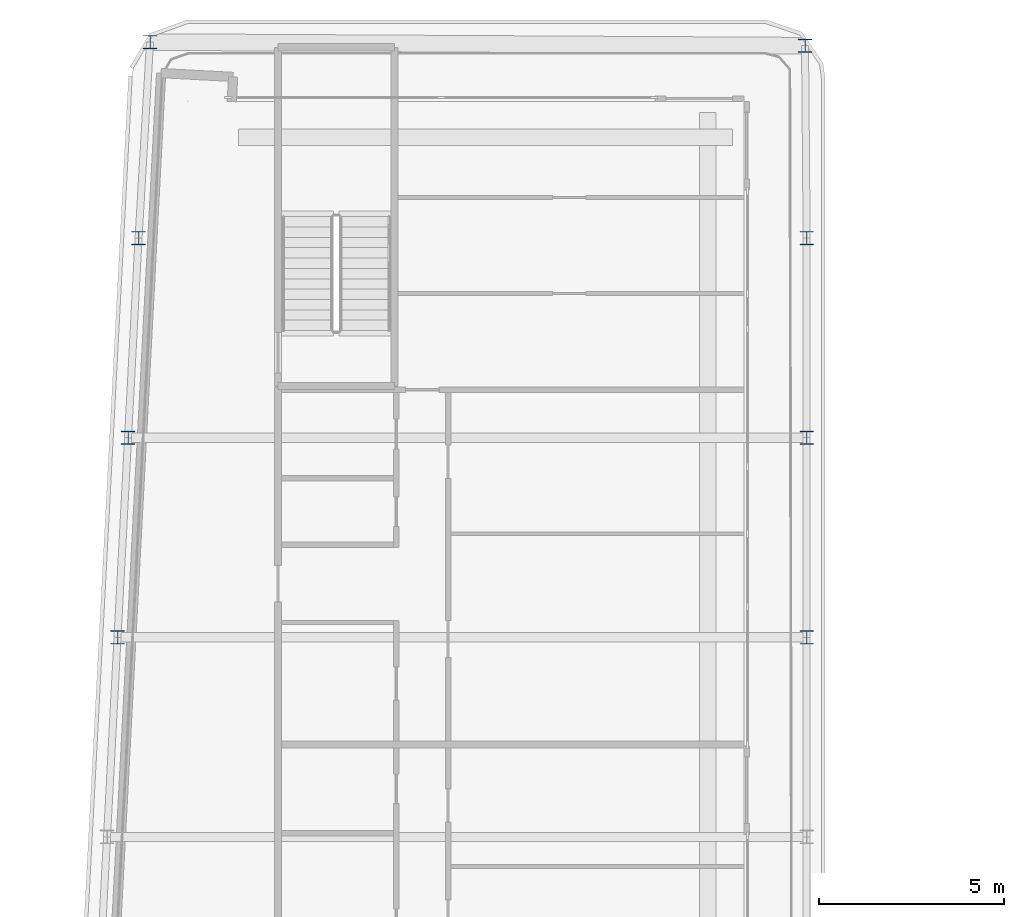
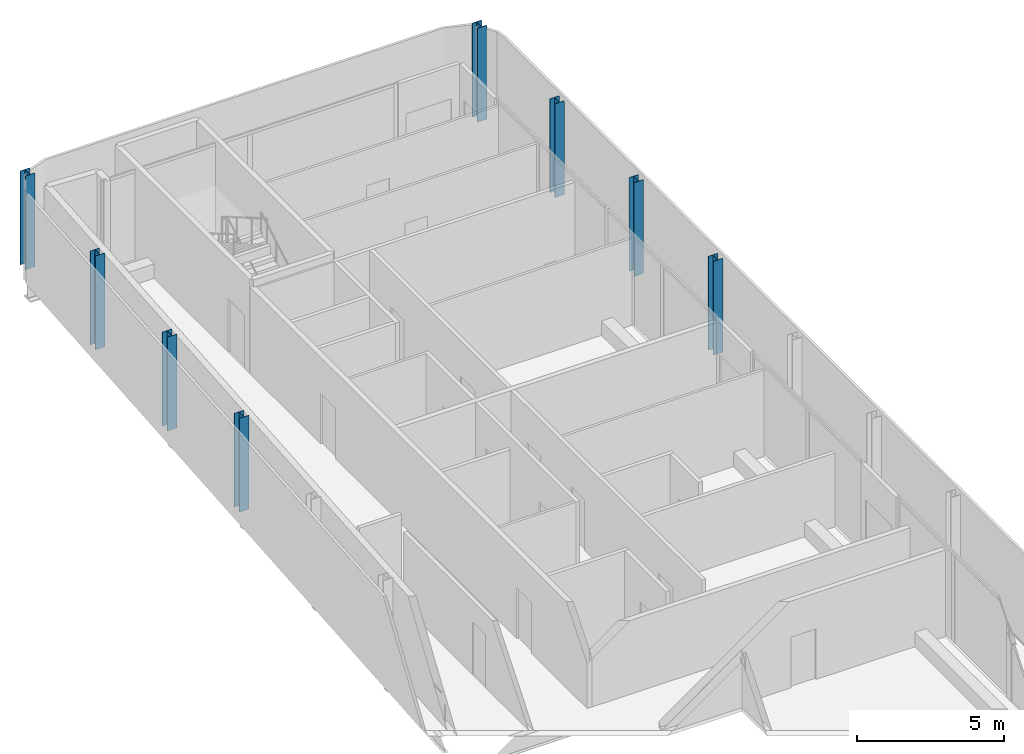
# One storey, part 3 of 17: 8 columns.
"""IFC4 building model written with IfcOpenShell, lengths in metres."""

from ifc_helpers import new_model, si_unit, direction, frame, origin, origin_2d, place, context, subcontext, project, spatial, i_section, extrude, material, material_profile, profile_set, type_object, element, save


model = new_model("IFC4")

# Units and contexts
model_context = context("Model", 3, precision=1e-05, world=origin(), true_north=direction((0.0, 1.0)))
body_context = subcontext(model_context, "Body", "Model", "MODEL_VIEW")
ifc_project = project(units=[si_unit("LENGTHUNIT", "METRE"), si_unit("AREAUNIT", "SQUARE_METRE"), si_unit("VOLUMEUNIT", "CUBIC_METRE"), si_unit("PLANEANGLEUNIT", "RADIAN"), si_unit("MASSUNIT", "GRAM", prefix="KILO")], contexts=[model_context])

# Site, building, storey
site_placement = place(None, origin())
site = spatial("IfcSite", under=ifc_project, at=site_placement, CompositionType="ELEMENT")
building_placement = place(site_placement, origin())
building = spatial("IfcBuilding", under=site, at=building_placement, Name="Kheshtan School and Residences Tower", CompositionType="ELEMENT")
storey_placement = place(building_placement, frame((0.0, 0.0, 342.199951171875)))
storey = spatial("IfcBuildingStorey", under=building, at=storey_placement, Name="L80", CompositionType="ELEMENT", Elevation=342.199951171875)

# Columns
ifc_material = material(Name="Steel ASTM A992 Grade 50", Category="steel")
ifc_material_profile = material_profile(ifc_material, i_section(OverallWidth=0.37109375, OverallDepth=0.364013671875, WebThickness=0.01318359375, FlangeThickness=0.021728515625, FilletRadius=0.010986328125, at=origin_2d()), Name="W360x162")
ifc_profile_set = profile_set([ifc_material_profile], Name="Steel ASTM A992 Grade 50")
column_type = type_object("IfcColumnType", Name="Column C6 W360x162 ASTM A992 Grade 50", PredefinedType="COLUMN", material=ifc_profile_set)
for number, where, z_axis, x_axis, name in (
    (1, (28.9580078125, 72.60009765625, 0.0), (0.0, 0.0, 1.0), (1.0, 0.0, 0.0), "Column C086"),
    (2, (47.60009765625, 72.60009765625, 0.0), (0.0, 0.0, 1.0), (1.0, 0.0, 0.0), "Column C087"),
    (3, (29.242919921875, 78.0, 0.0), (0.0, 0.0, 1.0), (1.0, 0.0, 0.0), "Column C088"),
    (4, (47.60009765625, 78.0, 0.0), (0.0, 0.0, 1.0), (1.0, 0.0, 0.0), "Column C089"),
    (5, (29.527099609375, 83.39990234375, 0.0), (0.0, 0.0, 1.0), (1.0, 0.0, 0.0), "Column C090"),
    (6, (47.60009765625, 83.39990234375, 0.0), (0.0, 0.0, 1.0), (1.0, 0.0, 0.0), "Column C091"),
    (7, (47.555908203125, 88.60498046875, 0.0), (0.0, 0.0, 1.0), (1.0, 0.0, 0.0), "Column C094"),
    (8, (29.8369140625, 88.7041015625, 0.0), (0.0, 0.0, 1.0), (1.0, 0.0, 0.0), "Column C095"),
):
    element("IfcColumn", number, at=place(storey_placement, frame(where, z_axis=z_axis, x_axis=x_axis)), inside=storey, type_object=column_type, Name=name, PredefinedType="COLUMN", context=body_context, shape_type="SweptSolid", body=[
        extrude(i_section(OverallWidth=0.37109375, OverallDepth=0.364013671875, WebThickness=0.01318359375, FlangeThickness=0.021728515625, FilletRadius=0.010986328125, at=origin_2d()), origin(), (0.0, 0.0, 1.0), 3.900146484375),
    ])

save(model, "model.ifc")
